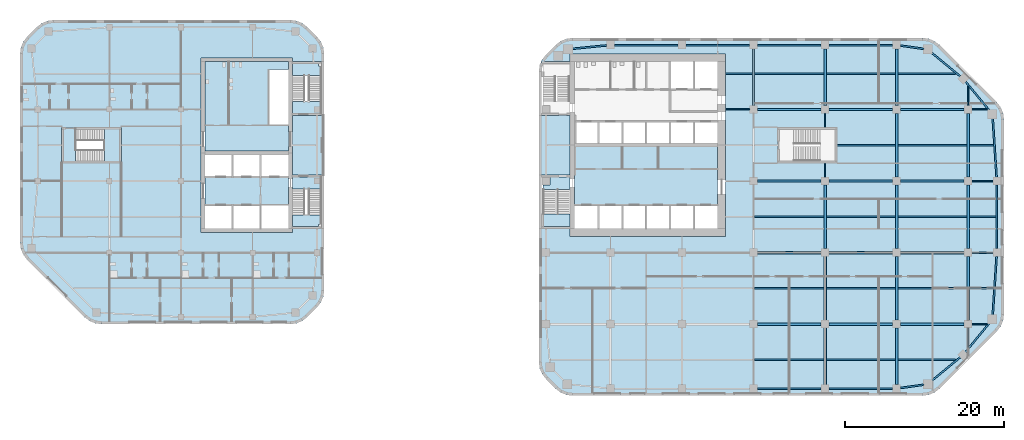
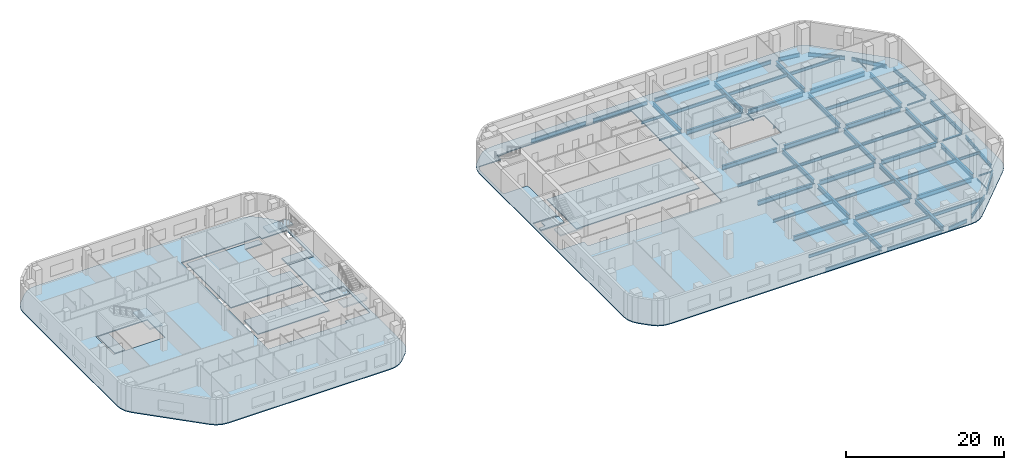
# One storey, part 3 of 16: 68 beams, 13 slabs, 4 elements without a shape of their own.
"""IFC4 building model written with IfcOpenShell, lengths in metres."""

from ifc_helpers import new_model, si_unit, direction, frame, origin, origin_2d, place, context, subcontext, project, spatial, polyline, i_section, outline, extrude, material, layer, layer_set, material_profile, profile_set, type_object, element, aggregate, save


model = new_model("IFC4")

# Units and contexts
model_context = context("Model", 3, precision=1e-05, world=origin(), true_north=direction((0.0, 1.0)))
body_context = subcontext(model_context, "Body", "Model", "MODEL_VIEW")
ifc_project = project(units=[si_unit("LENGTHUNIT", "METRE"), si_unit("AREAUNIT", "SQUARE_METRE"), si_unit("VOLUMEUNIT", "CUBIC_METRE"), si_unit("PLANEANGLEUNIT", "RADIAN"), si_unit("MASSUNIT", "GRAM", prefix="KILO")], contexts=[model_context])

# Site, building, storey
site_placement = place(None, origin())
site = spatial("IfcSite", under=ifc_project, at=site_placement, CompositionType="ELEMENT")
building_placement = place(site_placement, origin())
building = spatial("IfcBuilding", under=site, at=building_placement, Name="Cinnabar Reach Civic Tower", CompositionType="ELEMENT")
storey_placement = place(building_placement, frame((0.0, 0.0, 55.0)))
storey = spatial("IfcBuildingStorey", under=building, at=storey_placement, Name="L12", CompositionType="ELEMENT", Elevation=55.0)

# Beams
ifc_material_1 = material(Name="Steel Q355B", Category="steel")
ifc_material_profile_1 = material_profile(ifc_material_1, i_section(OverallWidth=0.099, OverallDepth=0.198, WebThickness=0.0045, FlangeThickness=0.007, FilletRadius=0.013, at=origin_2d()), Name="HN200x100x5.5x8")
ifc_profile_set_1 = profile_set([ifc_material_profile_1], Name="Steel Q355B")
beam_type_1 = type_object("IfcBeamType", Name="HN200x100x5.5x8 beam R 180", PredefinedType="BEAM", material=ifc_profile_set_1)
for number, where, z_axis, x_axis, name in (
    (1, (36.0, 27.502, -0.249), (0.0, 1.0, 0.0), (-1.0, 0.0, 0.0), "Girder T1 L12 15"),
    (2, (36.0, 33.752, -0.249), (0.0, 1.0, 0.0), (-1.0, 0.0, 0.0), "Girder T1 L12 16"),
):
    element("IfcBeam", number, at=place(storey_placement, frame(where, z_axis=z_axis, x_axis=x_axis)), inside=storey, type_object=beam_type_1, Name=name, PredefinedType="BEAM", context=body_context, shape_type="SweptSolid", body=[
        extrude(i_section(OverallWidth=0.099, OverallDepth=0.198, WebThickness=0.0045, FlangeThickness=0.007, FilletRadius=0.013, at=origin_2d()), origin(), (0.0, 0.0, 1.0), 1.746),
    ])
for number, where, z_axis, x_axis, name in (
    (3, (54.0, 6.0682, -0.249), (0.0, 1.0, 0.0), (-1.0, 0.0, 0.0), "Girder T1 L12 23"),
    (4, (54.0, 36.502, -0.249), (0.0, 1.0, 0.0), (-1.0, 0.0, 0.0), "Girder T1 L12 27"),
):
    element("IfcBeam", number, at=place(storey_placement, frame(where, z_axis=z_axis, x_axis=x_axis)), inside=storey, type_object=beam_type_1, Name=name, PredefinedType="BEAM", context=body_context, shape_type="SweptSolid", body=[
        extrude(i_section(OverallWidth=0.099, OverallDepth=0.198, WebThickness=0.0045, FlangeThickness=0.007, FilletRadius=0.013, at=origin_2d()), origin(), (0.0, 0.0, 1.0), 2.4298),
    ])
ifc_material_profile_2 = material_profile(ifc_material_1, i_section(OverallWidth=0.124, OverallDepth=0.248, WebThickness=0.005, FlangeThickness=0.008, FilletRadius=0.013, at=origin_2d()), Name="HN250x125x6x9")
ifc_profile_set_2 = profile_set([ifc_material_profile_2], Name="Steel Q355B")
beam_type_2 = type_object("IfcBeamType", Name="HN250x125x6x9 beam R 180", PredefinedType="BEAM", material=ifc_profile_set_2)
beam_1_placement = place(storey_placement, frame((54.502, 9.0, -0.274), z_axis=(1.0, 0.0, 0.0), x_axis=(0.0, 1.0, 0.0)))
element("IfcBeam", 5, at=beam_1_placement, inside=storey, type_object=beam_type_2, Name="Girder T1 L12 7", PredefinedType="BEAM", context=body_context, shape_type="SweptSolid", body=[
    extrude(i_section(OverallWidth=0.124, OverallDepth=0.248, WebThickness=0.005, FlangeThickness=0.008, FilletRadius=0.013, at=origin_2d()), origin(), (0.0, 0.0, 1.0), 1.9162),
])
for number, where, z_axis, x_axis, name in (
    (6, (54.502, 18.0, -0.274), (1.0, 0.0, 0.0), (0.0, 1.0, 0.0), "Girder T1 L12 14"),
    (7, (54.502, 27.0, -0.274), (1.0, 0.0, 0.0), (0.0, 1.0, 0.0), "Girder T1 L12 19"),
):
    element("IfcBeam", number, at=place(storey_placement, frame(where, z_axis=z_axis, x_axis=x_axis)), inside=storey, type_object=beam_type_2, Name=name, PredefinedType="BEAM", context=body_context, shape_type="SweptSolid", body=[
        extrude(i_section(OverallWidth=0.124, OverallDepth=0.248, WebThickness=0.005, FlangeThickness=0.008, FilletRadius=0.013, at=origin_2d()), origin(), (0.0, 0.0, 1.0), 2.596),
    ])
beam_2_placement = place(storey_placement, frame((23.502, 36.0, -0.274), z_axis=(1.0, 0.0, 0.0), x_axis=(0.0, 1.0, 0.0)))
element("IfcBeam", 8, at=beam_2_placement, inside=storey, type_object=beam_type_2, Name="Girder T1 L12 20", PredefinedType="BEAM", context=body_context, shape_type="SweptSolid", body=[
    extrude(i_section(OverallWidth=0.124, OverallDepth=0.248, WebThickness=0.005, FlangeThickness=0.008, FilletRadius=0.013, at=origin_2d()), origin(), (0.0, 0.0, 1.0), 2.996),
])
beam_3_placement = place(storey_placement, frame((54.502, 36.0, -0.274), z_axis=(1.0, 0.0, 0.0), x_axis=(0.0, 1.0, 0.0)))
element("IfcBeam", 9, at=beam_3_placement, inside=storey, type_object=beam_type_2, Name="Girder T1 L12 24", PredefinedType="BEAM", context=body_context, shape_type="SweptSolid", body=[
    extrude(i_section(OverallWidth=0.124, OverallDepth=0.248, WebThickness=0.005, FlangeThickness=0.008, FilletRadius=0.013, at=origin_2d()), origin(), (0.0, 0.0, 1.0), 1.9162),
])
ifc_material_profile_3 = material_profile(ifc_material_1, i_section(OverallWidth=0.2, OverallDepth=0.4, WebThickness=0.008, FlangeThickness=0.013, FilletRadius=0.016, at=origin_2d()), Name="HN400x200x8x13")
ifc_profile_set_3 = profile_set([ifc_material_profile_3], Name="Steel Q355B")
beam_type_3 = type_object("IfcBeamType", Name="HN400x200x8x13 beam R 180", PredefinedType="BEAM", material=ifc_profile_set_3)
beam_4_placement = place(storey_placement, frame((54.152, 13.5, -0.35), z_axis=(1.0, 0.0, 0.0), x_axis=(0.0, 1.0, 0.0)))
element("IfcBeam", 10, at=beam_4_placement, inside=storey, type_object=beam_type_3, Name="Secondary beam T1 L12 13", PredefinedType="BEAM", context=body_context, shape_type="SweptSolid", body=[
    extrude(i_section(OverallWidth=0.2, OverallDepth=0.4, WebThickness=0.008, FlangeThickness=0.013, FilletRadius=0.016, at=origin_2d()), origin(), (0.0, 0.0, 1.0), 3.0494),
])
beam_5_placement = place(storey_placement, frame((54.152, 22.5, -0.35), z_axis=(1.0, 0.0, 0.0), x_axis=(0.0, 1.0, 0.0)))
element("IfcBeam", 11, at=beam_5_placement, inside=storey, type_object=beam_type_3, Name="Secondary beam T1 L12 18", PredefinedType="BEAM", context=body_context, shape_type="SweptSolid", body=[
    extrude(i_section(OverallWidth=0.2, OverallDepth=0.4, WebThickness=0.008, FlangeThickness=0.013, FilletRadius=0.016, at=origin_2d()), origin(), (0.0, 0.0, 1.0), 3.346),
])
beam_6_placement = place(storey_placement, frame((54.152, 31.5, -0.35), z_axis=(1.0, 0.0, 0.0), x_axis=(0.0, 1.0, 0.0)))
element("IfcBeam", 12, at=beam_6_placement, inside=storey, type_object=beam_type_3, Name="Secondary beam T1 L12 24", PredefinedType="BEAM", context=body_context, shape_type="SweptSolid", body=[
    extrude(i_section(OverallWidth=0.2, OverallDepth=0.4, WebThickness=0.008, FlangeThickness=0.013, FilletRadius=0.016, at=origin_2d()), origin(), (0.0, 0.0, 1.0), 3.0494),
])
beam_7_placement = place(storey_placement, frame((23.502, 40.5, -0.35), z_axis=(1.0, 0.0, 0.0), x_axis=(0.0, 1.0, 0.0)))
element("IfcBeam", 13, at=beam_7_placement, inside=storey, type_object=beam_type_3, Name="Secondary beam T1 L12 25", PredefinedType="BEAM", context=body_context, shape_type="SweptSolid", body=[
    extrude(i_section(OverallWidth=0.2, OverallDepth=0.4, WebThickness=0.008, FlangeThickness=0.013, FilletRadius=0.016, at=origin_2d()), origin(), (0.0, 0.0, 1.0), 3.346),
])
ifc_material_profile_4 = material_profile(ifc_material_1, i_section(OverallWidth=0.2, OverallDepth=0.5, WebThickness=0.01, FlangeThickness=0.016, FilletRadius=0.016, at=origin_2d()), Name="HN500x200x10x16")
ifc_profile_set_4 = profile_set([ifc_material_profile_4], Name="Steel Q355B")
beam_type_4 = type_object("IfcBeamType", Name="HN500x200x10x16 beam R 180", PredefinedType="BEAM", material=ifc_profile_set_4)
for number, where, z_axis, x_axis, name in (
    (14, (27.152, 4.5, -0.4), (1.0, 0.0, 0.0), (0.0, 1.0, 0.0), "Secondary beam T1 L12 4"),
    (15, (36.152, 4.5, -0.4), (1.0, 0.0, 0.0), (0.0, 1.0, 0.0), "Secondary beam T1 L12 5"),
):
    element("IfcBeam", number, at=place(storey_placement, frame(where, z_axis=z_axis, x_axis=x_axis)), inside=storey, type_object=beam_type_4, Name=name, PredefinedType="BEAM", context=body_context, shape_type="SweptSolid", body=[
        extrude(i_section(OverallWidth=0.2, OverallDepth=0.5, WebThickness=0.01, FlangeThickness=0.016, FilletRadius=0.016, at=origin_2d()), origin(), (0.0, 0.0, 1.0), 8.696),
    ])
beam_8_placement = place(storey_placement, frame((45.152, 4.5, -0.4), z_axis=(1.0, 0.0, 0.0), x_axis=(0.0, 1.0, 0.0)))
element("IfcBeam", 16, at=beam_8_placement, inside=storey, type_object=beam_type_4, Name="Secondary beam T1 L12 6", PredefinedType="BEAM", context=body_context, shape_type="SweptSolid", body=[
    extrude(i_section(OverallWidth=0.2, OverallDepth=0.5, WebThickness=0.01, FlangeThickness=0.016, FilletRadius=0.016, at=origin_2d()), origin(), (0.0, 0.0, 1.0), 7.2798),
])
for number, where, z_axis, x_axis, name in (
    (17, (27.152, 13.5, -0.4), (1.0, 0.0, 0.0), (0.0, 1.0, 0.0), "Secondary beam T1 L12 10"),
    (18, (36.152, 13.5, -0.4), (1.0, 0.0, 0.0), (0.0, 1.0, 0.0), "Secondary beam T1 L12 11"),
    (19, (45.152, 13.5, -0.4), (1.0, 0.0, 0.0), (0.0, 1.0, 0.0), "Secondary beam T1 L12 12"),
    (20, (27.152, 22.5, -0.4), (1.0, 0.0, 0.0), (0.0, 1.0, 0.0), "Secondary beam T1 L12 15"),
    (21, (36.152, 22.5, -0.4), (1.0, 0.0, 0.0), (0.0, 1.0, 0.0), "Secondary beam T1 L12 16"),
    (22, (45.152, 22.5, -0.4), (1.0, 0.0, 0.0), (0.0, 1.0, 0.0), "Secondary beam T1 L12 17"),
):
    element("IfcBeam", number, at=place(storey_placement, frame(where, z_axis=z_axis, x_axis=x_axis)), inside=storey, type_object=beam_type_4, Name=name, PredefinedType="BEAM", context=body_context, shape_type="SweptSolid", body=[
        extrude(i_section(OverallWidth=0.2, OverallDepth=0.5, WebThickness=0.01, FlangeThickness=0.016, FilletRadius=0.016, at=origin_2d()), origin(), (0.0, 0.0, 1.0), 8.696),
    ])
beam_9_placement = place(storey_placement, frame((37.502, 31.5, -0.4), z_axis=(1.0, 0.0, 0.0), x_axis=(0.0, 1.0, 0.0)))
element("IfcBeam", 23, at=beam_9_placement, inside=storey, type_object=beam_type_4, Name="Secondary beam T1 L12 22", PredefinedType="BEAM", context=body_context, shape_type="SweptSolid", body=[
    extrude(i_section(OverallWidth=0.2, OverallDepth=0.5, WebThickness=0.01, FlangeThickness=0.016, FilletRadius=0.016, at=origin_2d()), origin(), (0.0, 0.0, 1.0), 7.346),
])
for number, where, z_axis, x_axis, name in (
    (24, (45.152, 31.5, -0.4), (1.0, 0.0, 0.0), (0.0, 1.0, 0.0), "Secondary beam T1 L12 23"),
    (25, (27.152, 40.5, -0.4), (1.0, 0.0, 0.0), (0.0, 1.0, 0.0), "Secondary beam T1 L12 26"),
    (26, (36.152, 40.5, -0.4), (1.0, 0.0, 0.0), (0.0, 1.0, 0.0), "Secondary beam T1 L12 27"),
):
    element("IfcBeam", number, at=place(storey_placement, frame(where, z_axis=z_axis, x_axis=x_axis)), inside=storey, type_object=beam_type_4, Name=name, PredefinedType="BEAM", context=body_context, shape_type="SweptSolid", body=[
        extrude(i_section(OverallWidth=0.2, OverallDepth=0.5, WebThickness=0.01, FlangeThickness=0.016, FilletRadius=0.016, at=origin_2d()), origin(), (0.0, 0.0, 1.0), 8.696),
    ])
beam_10_placement = place(storey_placement, frame((45.152, 40.5, -0.4), z_axis=(1.0, 0.0, 0.0), x_axis=(0.0, 1.0, 0.0)))
element("IfcBeam", 27, at=beam_10_placement, inside=storey, type_object=beam_type_4, Name="Secondary beam T1 L12 28", PredefinedType="BEAM", context=body_context, shape_type="SweptSolid", body=[
    extrude(i_section(OverallWidth=0.2, OverallDepth=0.5, WebThickness=0.01, FlangeThickness=0.016, FilletRadius=0.016, at=origin_2d()), origin(), (0.0, 0.0, 1.0), 7.2798),
])
ifc_material_profile_5 = material_profile(ifc_material_1, i_section(OverallWidth=0.2, OverallDepth=0.6, WebThickness=0.011, FlangeThickness=0.017, FilletRadius=0.016, at=origin_2d()), Name="HN600x200x11x17")
ifc_profile_set_5 = profile_set([ifc_material_profile_5], Name="Steel Q355B")
beam_type_5 = type_object("IfcBeamType", Name="HN600x200x11x17 beam R 180", PredefinedType="BEAM", material=ifc_profile_set_5)
for number, where, z_axis, x_axis, name in (
    (28, (27.502, 0.9, -0.45), (1.0, 0.0, 0.0), (0.0, 1.0, 0.0), "Edge beam T1 L12 4"),
    (29, (36.502, 0.9, -0.45), (1.0, 0.0, 0.0), (0.0, 1.0, 0.0), "Edge beam T1 L12 5"),
):
    element("IfcBeam", number, at=place(storey_placement, frame(where, z_axis=z_axis, x_axis=x_axis)), inside=storey, type_object=beam_type_5, Name=name, PredefinedType="BEAM", context=body_context, shape_type="SweptSolid", body=[
        extrude(i_section(OverallWidth=0.2, OverallDepth=0.6, WebThickness=0.011, FlangeThickness=0.017, FilletRadius=0.016, at=origin_2d()), origin(), (0.0, 0.0, 1.0), 7.996),
    ])
beam_11_placement = place(storey_placement, frame((45.502, 0.9712, -0.45), z_axis=(0.990082238922, 0.140489003738, 0.0), x_axis=(-0.140489003738, 0.990082238922, 0.0)))
element("IfcBeam", 30, at=beam_11_placement, inside=storey, type_object=beam_type_5, Name="Edge beam T1 L12 6", PredefinedType="BEAM", context=body_context, shape_type="SweptSolid", body=[
    extrude(i_section(OverallWidth=0.2, OverallDepth=0.6, WebThickness=0.011, FlangeThickness=0.017, FilletRadius=0.016, at=origin_2d()), origin(), (0.0, 0.0, 1.0), 2.9433),
])
for number, where, z_axis, x_axis, name in (
    (31, (49.3801, 1.8507, -0.45), (0.77143827905, 0.6363041581, 0.0), (-0.6363041581, 0.77143827905, 0.0), "Edge beam T1 L12 7"),
    (32, (53.6461, 5.4789, -0.45), (0.6363041581, 0.77143827905, 0.0), (-0.77143827905, 0.6363041581, 0.0), "Edge beam T1 L12 8"),
):
    element("IfcBeam", number, at=place(storey_placement, frame(where, z_axis=z_axis, x_axis=x_axis)), inside=storey, type_object=beam_type_5, Name=name, PredefinedType="BEAM", context=body_context, shape_type="SweptSolid", body=[
        extrude(i_section(OverallWidth=0.2, OverallDepth=0.6, WebThickness=0.011, FlangeThickness=0.017, FilletRadius=0.016, at=origin_2d()), origin(), (0.0, 0.0, 1.0), 4.7198),
    ])
beam_12_placement = place(storey_placement, frame((57.0786, 10.0839, -0.45), z_axis=(0.065718615968, 0.997838195057, 0.0), x_axis=(-0.997838195057, 0.065718615968, 0.0)))
element("IfcBeam", 33, at=beam_12_placement, inside=storey, type_object=beam_type_5, Name="Edge beam T1 L12 9", PredefinedType="BEAM", context=body_context, shape_type="SweptSolid", body=[
    extrude(i_section(OverallWidth=0.2, OverallDepth=0.6, WebThickness=0.011, FlangeThickness=0.017, FilletRadius=0.016, at=origin_2d()), origin(), (0.0, 0.0, 1.0), 7.4302),
])
beam_13_placement = place(storey_placement, frame((57.6, 18.502, -0.45), z_axis=(0.0, 1.0, 0.0), x_axis=(-1.0, 0.0, 0.0)))
element("IfcBeam", 34, at=beam_13_placement, inside=storey, type_object=beam_type_5, Name="Edge beam T1 L12 10", PredefinedType="BEAM", context=body_context, shape_type="SweptSolid", body=[
    extrude(i_section(OverallWidth=0.2, OverallDepth=0.6, WebThickness=0.011, FlangeThickness=0.017, FilletRadius=0.016, at=origin_2d()), origin(), (0.0, 0.0, 1.0), 7.996),
])
beam_14_placement = place(storey_placement, frame((57.5669, 27.502, -0.45), z_axis=(-0.065718615968, 0.997838195057, 0.0), x_axis=(-0.997838195057, -0.065718615968, 0.0)))
element("IfcBeam", 35, at=beam_14_placement, inside=storey, type_object=beam_type_5, Name="Edge beam T1 L12 11", PredefinedType="BEAM", context=body_context, shape_type="SweptSolid", body=[
    extrude(i_section(OverallWidth=0.2, OverallDepth=0.6, WebThickness=0.011, FlangeThickness=0.017, FilletRadius=0.016, at=origin_2d()), origin(), (0.0, 0.0, 1.0), 7.4302),
])
for number, where, z_axis, x_axis, name in (
    (36, (56.6493, 35.8801, -0.45), (-0.6363041581, 0.77143827905, 0.0), (-0.77143827905, -0.6363041581, 0.0), "Edge beam T1 L12 12"),
    (37, (53.0211, 40.1461, -0.45), (-0.77143827905, 0.6363041581, 0.0), (-0.6363041581, -0.77143827905, 0.0), "Edge beam T1 L12 13"),
):
    element("IfcBeam", number, at=place(storey_placement, frame(where, z_axis=z_axis, x_axis=x_axis)), inside=storey, type_object=beam_type_5, Name=name, PredefinedType="BEAM", context=body_context, shape_type="SweptSolid", body=[
        extrude(i_section(OverallWidth=0.2, OverallDepth=0.6, WebThickness=0.011, FlangeThickness=0.017, FilletRadius=0.016, at=origin_2d()), origin(), (0.0, 0.0, 1.0), 4.7198),
    ])
beam_15_placement = place(storey_placement, frame((48.4161, 43.6153, -0.45), z_axis=(-0.990082238922, 0.140489003738, 0.0), x_axis=(-0.140489003738, -0.990082238922, 0.0)))
element("IfcBeam", 38, at=beam_15_placement, inside=storey, type_object=beam_type_5, Name="Edge beam T1 L12 14", PredefinedType="BEAM", context=body_context, shape_type="SweptSolid", body=[
    extrude(i_section(OverallWidth=0.2, OverallDepth=0.6, WebThickness=0.011, FlangeThickness=0.017, FilletRadius=0.016, at=origin_2d()), origin(), (0.0, 0.0, 1.0), 2.9433),
])
for number, where, z_axis, x_axis, name in (
    (39, (44.498, 44.1, -0.45), (-1.0, 0.0, 0.0), (0.0, -1.0, 0.0), "Edge beam T1 L12 15"),
    (40, (35.498, 44.1, -0.45), (-1.0, 0.0, 0.0), (0.0, -1.0, 0.0), "Edge beam T1 L12 16"),
    (41, (26.498, 44.1, -0.45), (-1.0, 0.0, 0.0), (0.0, -1.0, 0.0), "Edge beam T1 L12 17"),
    (42, (17.498, 44.1, -0.45), (-1.0, 0.0, 0.0), (0.0, -1.0, 0.0), "Edge beam T1 L12 18"),
):
    element("IfcBeam", number, at=place(storey_placement, frame(where, z_axis=z_axis, x_axis=x_axis)), inside=storey, type_object=beam_type_5, Name=name, PredefinedType="BEAM", context=body_context, shape_type="SweptSolid", body=[
        extrude(i_section(OverallWidth=0.2, OverallDepth=0.6, WebThickness=0.011, FlangeThickness=0.017, FilletRadius=0.016, at=origin_2d()), origin(), (0.0, 0.0, 1.0), 7.996),
    ])
beam_16_placement = place(storey_placement, frame((8.498, 44.0505, -0.45), z_axis=(-0.995166374533, -0.098203294236, 0.0), x_axis=(0.098203294236, -0.995166374533, 0.0)))
element("IfcBeam", 43, at=beam_16_placement, inside=storey, type_object=beam_type_5, Name="Edge beam T1 L12 19", PredefinedType="BEAM", context=body_context, shape_type="SweptSolid", body=[
    extrude(i_section(OverallWidth=0.2, OverallDepth=0.6, WebThickness=0.011, FlangeThickness=0.017, FilletRadius=0.016, at=origin_2d()), origin(), (0.0, 0.0, 1.0), 4.3705),
])
ifc_material_profile_6 = material_profile(ifc_material_1, i_section(OverallWidth=0.3, OverallDepth=0.692, WebThickness=0.013, FlangeThickness=0.02, FilletRadius=0.016, at=origin_2d()), Name="HN692x300x13x20")
ifc_profile_set_6 = profile_set([ifc_material_profile_6], Name="Steel Q355B")
beam_type_6 = type_object("IfcBeamType", Name="HN692x300x13x20 beam R 180", PredefinedType="BEAM", material=ifc_profile_set_6)
for number, where, z_axis, x_axis, name in (
    (44, (27.0, 36.502, -0.496), (0.0, 1.0, 0.0), (-1.0, 0.0, 0.0), "Girder T1 L12 11"),
    (45, (36.0, 1.402, -0.496), (0.0, 1.0, 0.0), (-1.0, 0.0, 0.0), "Girder T1 L12 12"),
):
    element("IfcBeam", number, at=place(storey_placement, frame(where, z_axis=z_axis, x_axis=x_axis)), inside=storey, type_object=beam_type_6, Name=name, PredefinedType="BEAM", context=body_context, shape_type="SweptSolid", body=[
        extrude(i_section(OverallWidth=0.3, OverallDepth=0.692, WebThickness=0.013, FlangeThickness=0.02, FilletRadius=0.016, at=origin_2d()), origin(), (0.0, 0.0, 1.0), 7.096),
    ])
for number, where, z_axis, x_axis, name in (
    (46, (36.0, 9.502, -0.496), (0.0, 1.0, 0.0), (-1.0, 0.0, 0.0), "Girder T1 L12 13"),
    (47, (36.0, 18.502, -0.496), (0.0, 1.0, 0.0), (-1.0, 0.0, 0.0), "Girder T1 L12 14"),
):
    element("IfcBeam", number, at=place(storey_placement, frame(where, z_axis=z_axis, x_axis=x_axis)), inside=storey, type_object=beam_type_6, Name=name, PredefinedType="BEAM", context=body_context, shape_type="SweptSolid", body=[
        extrude(i_section(OverallWidth=0.3, OverallDepth=0.692, WebThickness=0.013, FlangeThickness=0.02, FilletRadius=0.016, at=origin_2d()), origin(), (0.0, 0.0, 1.0), 7.996),
    ])
for number, where, z_axis, x_axis, name in (
    (48, (36.0, 36.502, -0.496), (0.0, 1.0, 0.0), (-1.0, 0.0, 0.0), "Girder T1 L12 17"),
    (49, (45.0, 1.402, -0.496), (0.0, 1.0, 0.0), (-1.0, 0.0, 0.0), "Girder T1 L12 18"),
):
    element("IfcBeam", number, at=place(storey_placement, frame(where, z_axis=z_axis, x_axis=x_axis)), inside=storey, type_object=beam_type_6, Name=name, PredefinedType="BEAM", context=body_context, shape_type="SweptSolid", body=[
        extrude(i_section(OverallWidth=0.3, OverallDepth=0.692, WebThickness=0.013, FlangeThickness=0.02, FilletRadius=0.016, at=origin_2d()), origin(), (0.0, 0.0, 1.0), 7.096),
    ])
for number, where, z_axis, x_axis, name in (
    (50, (45.0, 9.502, -0.496), (0.0, 1.0, 0.0), (-1.0, 0.0, 0.0), "Girder T1 L12 19"),
    (51, (45.0, 18.502, -0.496), (0.0, 1.0, 0.0), (-1.0, 0.0, 0.0), "Girder T1 L12 20"),
    (52, (45.0, 27.502, -0.496), (0.0, 1.0, 0.0), (-1.0, 0.0, 0.0), "Girder T1 L12 21"),
):
    element("IfcBeam", number, at=place(storey_placement, frame(where, z_axis=z_axis, x_axis=x_axis)), inside=storey, type_object=beam_type_6, Name=name, PredefinedType="BEAM", context=body_context, shape_type="SweptSolid", body=[
        extrude(i_section(OverallWidth=0.3, OverallDepth=0.692, WebThickness=0.013, FlangeThickness=0.02, FilletRadius=0.016, at=origin_2d()), origin(), (0.0, 0.0, 1.0), 7.996),
    ])
beam_17_placement = place(storey_placement, frame((45.0, 36.502, -0.496), z_axis=(0.0, 1.0, 0.0), x_axis=(-1.0, 0.0, 0.0)))
element("IfcBeam", 53, at=beam_17_placement, inside=storey, type_object=beam_type_6, Name="Girder T1 L12 22", PredefinedType="BEAM", context=body_context, shape_type="SweptSolid", body=[
    extrude(i_section(OverallWidth=0.3, OverallDepth=0.692, WebThickness=0.013, FlangeThickness=0.02, FilletRadius=0.016, at=origin_2d()), origin(), (0.0, 0.0, 1.0), 7.096),
])
for number, where, z_axis, x_axis, name in (
    (54, (54.0, 9.502, -0.496), (0.0, 1.0, 0.0), (-1.0, 0.0, 0.0), "Girder T1 L12 24"),
    (55, (54.0, 18.502, -0.496), (0.0, 1.0, 0.0), (-1.0, 0.0, 0.0), "Girder T1 L12 25"),
    (56, (54.0, 27.502, -0.496), (0.0, 1.0, 0.0), (-1.0, 0.0, 0.0), "Girder T1 L12 26"),
):
    element("IfcBeam", number, at=place(storey_placement, frame(where, z_axis=z_axis, x_axis=x_axis)), inside=storey, type_object=beam_type_6, Name=name, PredefinedType="BEAM", context=body_context, shape_type="SweptSolid", body=[
        extrude(i_section(OverallWidth=0.3, OverallDepth=0.692, WebThickness=0.013, FlangeThickness=0.02, FilletRadius=0.016, at=origin_2d()), origin(), (0.0, 0.0, 1.0), 7.996),
    ])
ifc_material_profile_7 = material_profile(ifc_material_1, i_section(OverallWidth=0.3, OverallDepth=0.7, WebThickness=0.013, FlangeThickness=0.024, FilletRadius=0.02, at=origin_2d()), Name="HN700x300x13x24")
ifc_profile_set_7 = profile_set([ifc_material_profile_7], Name="Steel Q355B")
beam_type_7 = type_object("IfcBeamType", Name="HN700x300x13x24 beam R 180", PredefinedType="BEAM", material=ifc_profile_set_7)
for number, where, z_axis, x_axis, name in (
    (57, (27.502, 9.0, -0.5), (1.0, 0.0, 0.0), (0.0, 1.0, 0.0), "Girder T1 L12 4"),
    (58, (36.502, 9.0, -0.5), (1.0, 0.0, 0.0), (0.0, 1.0, 0.0), "Girder T1 L12 5"),
    (59, (45.502, 9.0, -0.5), (1.0, 0.0, 0.0), (0.0, 1.0, 0.0), "Girder T1 L12 6"),
    (60, (27.502, 18.0, -0.5), (1.0, 0.0, 0.0), (0.0, 1.0, 0.0), "Girder T1 L12 11"),
    (61, (36.502, 18.0, -0.5), (1.0, 0.0, 0.0), (0.0, 1.0, 0.0), "Girder T1 L12 12"),
    (62, (45.502, 18.0, -0.5), (1.0, 0.0, 0.0), (0.0, 1.0, 0.0), "Girder T1 L12 13"),
    (63, (27.502, 27.0, -0.5), (1.0, 0.0, 0.0), (0.0, 1.0, 0.0), "Girder T1 L12 16"),
    (64, (36.502, 27.0, -0.5), (1.0, 0.0, 0.0), (0.0, 1.0, 0.0), "Girder T1 L12 17"),
    (65, (45.502, 27.0, -0.5), (1.0, 0.0, 0.0), (0.0, 1.0, 0.0), "Girder T1 L12 18"),
    (66, (27.502, 36.0, -0.5), (1.0, 0.0, 0.0), (0.0, 1.0, 0.0), "Girder T1 L12 21"),
    (67, (36.502, 36.0, -0.5), (1.0, 0.0, 0.0), (0.0, 1.0, 0.0), "Girder T1 L12 22"),
    (68, (45.502, 36.0, -0.5), (1.0, 0.0, 0.0), (0.0, 1.0, 0.0), "Girder T1 L12 23"),
):
    element("IfcBeam", number, at=place(storey_placement, frame(where, z_axis=z_axis, x_axis=x_axis)), inside=storey, type_object=beam_type_7, Name=name, PredefinedType="BEAM", context=body_context, shape_type="SweptSolid", body=[
        extrude(i_section(OverallWidth=0.3, OverallDepth=0.7, WebThickness=0.013, FlangeThickness=0.024, FilletRadius=0.02, at=origin_2d()), origin(), (0.0, 0.0, 1.0), 7.996),
    ])

# Slabs
ifc_material_2 = material(Name="Concrete C40", Category="concrete")
ifc_layer_1 = layer(ifc_material_2, 0.15)
ifc_layer_set_1 = layer_set([ifc_layer_1], Name="Composite floor slab 150 REI 120")
slab_type_1 = type_object("IfcSlabType", Name="Composite floor slab 150 REI 120", PredefinedType="FLOOR", material=ifc_layer_set_1)
slab_1_placement = place(storey_placement, frame((0.0, 0.0, -0.15)))
element("IfcSlab", 69, at=slab_1_placement, inside=storey, type_object=slab_type_1, Name="Composite floor slab 150 T2 L12", PredefinedType="FLOOR", context=body_context, shape_type="SweptSolid", body=[
    extrude(outline(polyline([(-64.3713, 17.1213), (-64.8481, 17.7426), (-65.1478, 18.4662), (-65.25, 19.2426), (-65.25, 43.0074), (-65.1478, 43.7838), (-64.8481, 44.5074), (-64.3713, 45.1287), (-63.1287, 46.3713), (-62.5074, 46.8481), (-61.7838, 47.1478), (-61.0074, 47.25), (-31.2426, 47.25), (-30.4662, 47.1478), (-29.7426, 46.8481), (-29.1213, 46.3713), (-27.8787, 45.1287), (-27.4019, 44.5074), (-27.1022, 43.7838), (-27.0, 43.0074), (-27.0, 13.2426), (-27.1022, 12.4662), (-27.4019, 11.7426), (-27.8787, 11.1213), (-29.1213, 9.8787), (-29.7426, 9.4019), (-30.4662, 9.1022), (-31.2426, 9.0), (-55.0074, 9.0), (-55.7838, 9.1022), (-56.5074, 9.4019), (-57.1287, 9.8787), (-64.3713, 17.1213)]), holes=[polyline([(-31.0, 27.75), (-31.0, 35.25), (-27.36, 35.25), (-27.36, 42.0), (-31.0, 42.0), (-31.0, 42.5), (-42.5, 42.5), (-42.5, 20.5), (-31.0, 20.5), (-31.0, 21.0), (-27.36, 21.0), (-27.36, 27.75), (-31.0, 27.75)]), polyline([(-60.0, 33.75), (-60.0, 29.25), (-52.5, 29.25), (-52.5, 33.75), (-60.0, 33.75)])]), origin(), (0.0, 0.0, 1.0), 0.15),
])
ifc_layer_2 = layer(ifc_material_2, 0.15)
ifc_layer_set_2 = layer_set([ifc_layer_2], Name="Composite floor slab 150 REI 150")
slab_type_2 = type_object("IfcSlabType", Name="Composite floor slab 150 REI 150", PredefinedType="FLOOR", material=ifc_layer_set_2)
slab_2_placement = place(storey_placement, frame((0.0, 0.0, -0.15)))
element("IfcSlab", 70, at=slab_2_placement, inside=storey, type_object=slab_type_2, Name="Composite floor slab 150 T1 L12", PredefinedType="FLOOR", context=body_context, shape_type="SweptSolid", body=[
    extrude(outline(polyline([(0.8787, 2.1213), (0.4019, 2.7426), (0.1022, 3.4662), (0.0, 4.2426), (0.0, 40.7574), (0.1022, 41.5338), (0.4019, 42.2574), (0.8787, 42.8787), (2.1213, 44.1213), (2.7426, 44.5981), (3.4662, 44.8978), (4.2426, 45.0), (48.2574, 45.0), (49.0338, 44.8978), (49.7574, 44.5981), (50.3787, 44.1213), (57.6213, 36.8787), (58.0981, 36.2574), (58.3978, 35.5338), (58.5, 34.7574), (58.5, 10.2426), (58.3978, 9.4662), (58.0981, 8.7426), (57.6213, 8.1213), (50.3787, 0.8787), (49.7574, 0.4019), (49.0338, 0.1022), (48.2574, 0.0), (4.2426, 0.0), (3.4662, 0.1022), (2.7426, 0.4019), (2.1213, 0.8787), (0.8787, 2.1213)]), holes=[polyline([(0.36, 21.0), (3.9, 21.0), (3.9, 20.0), (23.5, 20.0), (23.5, 43.0), (3.9, 43.0), (3.9, 42.0), (0.685, 42.0), (0.453, 41.4398), (0.36, 40.7338), (0.36, 35.25), (3.9, 35.25), (3.9, 27.75), (0.36, 27.75), (0.36, 21.0)]), polyline([(30.0, 33.75), (30.0, 29.25), (37.5, 29.25), (37.5, 33.75), (30.0, 33.75)])]), origin(), (0.0, 0.0, 1.0), 0.15),
])

# Stair, slabs
ifc_material_3 = material(Name="Concrete C40/50", Category="concrete")
stair_type_1 = type_object("IfcStairType", Name="T1 Exit stair, half-turn", PredefinedType="HALF_TURN_STAIR", material=ifc_material_3)
stair_1_placement = place(storey_placement, origin())
stair_1 = element("IfcStair", 71, at=stair_1_placement, inside=storey, type_object=stair_type_1, Name="Stair T1-S1", PredefinedType="HALF_TURN_STAIR")
ifc_layer_3 = layer(ifc_material_3, 0.2)
ifc_layer_set_3 = layer_set([ifc_layer_3], Name="T1 Stair landing 200, Concrete C40/50")
slab_type_3 = type_object("IfcSlabType", Name="T1 Stair landing 200, Concrete C40/50", PredefinedType="LANDING", material=ifc_layer_set_3)
slab_3_placement = place(storey_placement, frame((0.0, 0.0, -0.2)))
slab_3 = element("IfcSlab", 72, at=slab_3_placement, type_object=slab_type_3, Name="T1-S1 landing 1", PredefinedType="LANDING", context=body_context, shape_type="SweptSolid", body=[
    extrude(outline(polyline([(3.9, 27.5), (3.9, 25.95), (0.5, 25.95), (0.5, 26.5), (1.4, 26.5), (1.4, 27.5), (3.9, 27.5)])), origin(), (0.0, 0.0, 1.0), 0.2),
])
slab_4_placement = place(storey_placement, frame((0.0, 0.0, 1.8)))
slab_4 = element("IfcSlab", 73, at=slab_4_placement, type_object=slab_type_3, Name="T1-S1 landing 2", PredefinedType="LANDING", context=body_context, shape_type="SweptSolid", body=[
    extrude(outline(polyline([(0.6, 21.25), (0.6, 22.87), (3.9, 22.87), (3.9, 21.25), (0.6, 21.25)])), origin(), (0.0, 0.0, 1.0), 0.2),
])
aggregate(stair_1, [slab_3, slab_4])

# Slabs
ifc_layer_4 = layer(ifc_material_3, 0.15)
ifc_layer_set_4 = layer_set([ifc_layer_4], Name="T1 core floor slab 150")
slab_type_4 = type_object("IfcSlabType", Name="T1 core floor slab 150", PredefinedType="FLOOR", material=ifc_layer_set_4)
slab_5_placement = place(storey_placement, frame((0.0, 0.0, -0.15)))
element("IfcSlab", 74, at=slab_5_placement, inside=storey, type_object=slab_type_4, Name="Core floor slab L12", PredefinedType="FLOOR", context=body_context, shape_type="SweptSolid", body=[
    extrude(outline(polyline([(22.5, 24.0), (19.5, 24.0), (16.5, 24.0), (13.5, 24.0), (10.5, 24.0), (7.5, 24.0), (4.5, 24.0), (4.5, 31.5), (7.5, 31.5), (10.5, 31.5), (13.5, 31.5), (16.5, 31.5), (19.5, 31.5), (22.5, 31.5), (22.5, 24.0)])), origin(), (0.0, 0.0, 1.0), 0.15),
])
ifc_layer_5 = layer(ifc_material_2, 0.15)
ifc_layer_set_5 = layer_set([ifc_layer_5], Name="T2 Core floor slab 150")
slab_type_5 = type_object("IfcSlabType", Name="T2 Core floor slab 150", PredefinedType="FLOOR", material=ifc_layer_set_5)
slab_6_placement = place(storey_placement, frame((0.0, 0.0, -0.15)))
element("IfcSlab", 75, at=slab_6_placement, inside=storey, type_object=slab_type_5, Name="Core floor slab L12", PredefinedType="FLOOR", context=body_context, shape_type="SweptSolid", body=[
    extrude(outline(polyline([(-42.0, 42.0), (-31.5, 42.0), (-31.5, 41.0), (-34.0, 41.0), (-34.0, 34.0), (-31.5, 34.0), (-31.5, 30.75), (-42.0, 30.75), (-42.0, 42.0)])), origin(), (0.0, 0.0, 1.0), 0.15),
])
slab_7_placement = place(storey_placement, frame((0.0, 0.0, -0.15)))
element("IfcSlab", 76, at=slab_7_placement, inside=storey, type_object=slab_type_5, Name="Core floor slab L12", PredefinedType="FLOOR", context=body_context, shape_type="SweptSolid", body=[
    extrude(outline(polyline([(-35.0, 24.0), (-38.5, 24.0), (-42.0, 24.0), (-42.0, 27.5), (-38.5, 27.5), (-35.0, 27.5), (-31.5, 27.5), (-31.5, 24.0), (-35.0, 24.0)])), origin(), (0.0, 0.0, 1.0), 0.15),
])

# Stair, slabs
stair_type_2 = type_object("IfcStairType", Name="T2 Exit stair 1500", PredefinedType="HALF_TURN_STAIR", material=ifc_material_2)
stair_2_placement = place(storey_placement, origin())
stair_2 = element("IfcStair", 77, at=stair_2_placement, inside=storey, type_object=stair_type_2, Name="Exit stair 1", PredefinedType="HALF_TURN_STAIR")
ifc_layer_6 = layer(ifc_material_2, 0.2)
ifc_layer_set_6 = layer_set([ifc_layer_6], Name="T2 Stair landing 200")
slab_type_6 = type_object("IfcSlabType", Name="T2 Stair landing 200", PredefinedType="LANDING", material=ifc_layer_set_6)
slab_8_placement = place(storey_placement, frame((0.0, 0.0, -0.2)))
slab_8 = element("IfcSlab", 78, at=slab_8_placement, type_object=slab_type_6, Name="ST1 landing 1", PredefinedType="LANDING", context=body_context, shape_type="SweptSolid", body=[
    extrude(outline(polyline([(-31.0, 26.0), (-31.0, 27.5), (-27.4, 27.5), (-27.4, 26.0), (-31.0, 26.0)])), origin(), (0.0, 0.0, 1.0), 0.2),
])
slab_9_placement = place(storey_placement, frame((0.0, 0.0, 1.8)))
slab_9 = element("IfcSlab", 79, at=slab_9_placement, type_object=slab_type_6, Name="ST1 landing 2", PredefinedType="LANDING", context=body_context, shape_type="SweptSolid", body=[
    extrude(outline(polyline([(-31.0, 21.25), (-31.0, 22.75), (-27.4, 22.75), (-27.4, 21.55), (-27.7, 21.55), (-27.7, 21.25), (-31.0, 21.25)])), origin(), (0.0, 0.0, 1.0), 0.2),
])
aggregate(stair_2, [slab_8, slab_9])

stair_3_placement = place(storey_placement, origin())
stair_3 = element("IfcStair", 80, at=stair_3_placement, inside=storey, type_object=stair_type_2, Name="Exit stair 2", PredefinedType="HALF_TURN_STAIR")
slab_10_placement = place(storey_placement, frame((0.0, 0.0, -0.2)))
slab_10 = element("IfcSlab", 81, at=slab_10_placement, type_object=slab_type_6, Name="ST2 landing 1", PredefinedType="LANDING", context=body_context, shape_type="SweptSolid", body=[
    extrude(outline(polyline([(-31.0, 35.5), (-31.0, 37.0), (-27.4, 37.0), (-27.4, 35.5), (-31.0, 35.5)])), origin(), (0.0, 0.0, 1.0), 0.2),
])
slab_11_placement = place(storey_placement, frame((0.0, 0.0, 1.8)))
slab_11 = element("IfcSlab", 82, at=slab_11_placement, type_object=slab_type_6, Name="ST2 landing 2", PredefinedType="LANDING", context=body_context, shape_type="SweptSolid", body=[
    extrude(outline(polyline([(-27.4, 40.25), (-31.0, 40.25), (-31.0, 41.75), (-27.7, 41.75), (-27.7, 41.45), (-27.4, 41.45), (-27.4, 40.25)])), origin(), (0.0, 0.0, 1.0), 0.2),
])
aggregate(stair_3, [slab_10, slab_11])

stair_4_placement = place(storey_placement, origin())
stair_4 = element("IfcStair", 83, at=stair_4_placement, inside=storey, type_object=stair_type_2, Name="Exit stair 3", PredefinedType="HALF_TURN_STAIR")
slab_12_placement = place(storey_placement, frame((0.0, 0.0, -0.2)))
slab_12 = element("IfcSlab", 84, at=slab_12_placement, type_object=slab_type_6, Name="ST3 landing 1", PredefinedType="LANDING", context=body_context, shape_type="SweptSolid", body=[
    extrude(outline(polyline([(-59.75, 29.375), (-59.75, 33.625), (-58.25, 33.625), (-58.25, 29.375), (-59.75, 29.375)])), origin(), (0.0, 0.0, 1.0), 0.2),
])
slab_13_placement = place(storey_placement, frame((0.0, 0.0, 1.8)))
slab_13 = element("IfcSlab", 85, at=slab_13_placement, type_object=slab_type_6, Name="ST3 landing 2", PredefinedType="LANDING", context=body_context, shape_type="SweptSolid", body=[
    extrude(outline(polyline([(-54.65, 29.375), (-54.65, 33.625), (-52.75, 33.625), (-52.75, 29.375), (-54.65, 29.375)])), origin(), (0.0, 0.0, 1.0), 0.2),
])
aggregate(stair_4, [slab_12, slab_13])

save(model, "model.ifc")
